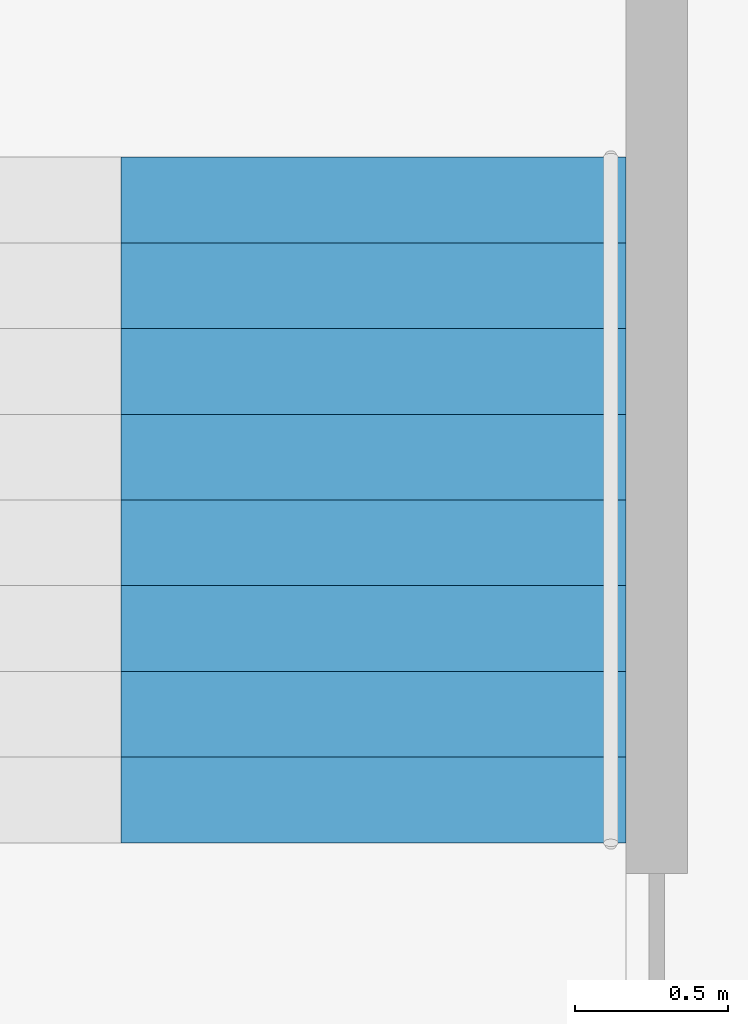
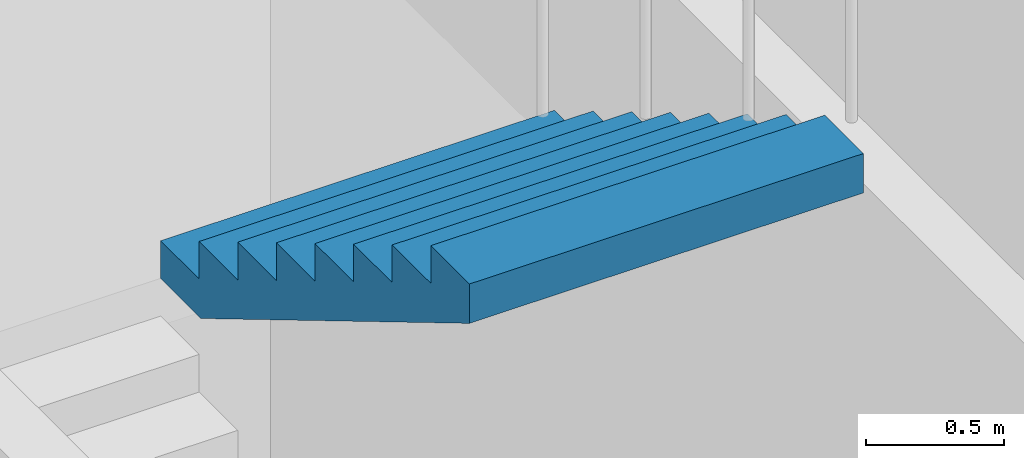
# One storey, part 19 of 20: 1 stair flight, 1 element without a shape of its own.
"""IFC4 building model written with IfcOpenShell, lengths in metres."""

from ifc_helpers import new_model, si_unit, direction, frame, origin, place, context, subcontext, project, spatial, polyline, outline, extrude, material, type_object, element, aggregate, save


model = new_model("IFC4")

# Units and contexts
model_context = context("Model", 3, precision=1e-05, world=origin(), true_north=direction((0.0, 1.0)))
body_context = subcontext(model_context, "Body", "Model", "MODEL_VIEW")
ifc_project = project(units=[si_unit("LENGTHUNIT", "METRE"), si_unit("AREAUNIT", "SQUARE_METRE"), si_unit("VOLUMEUNIT", "CUBIC_METRE"), si_unit("PLANEANGLEUNIT", "RADIAN"), si_unit("MASSUNIT", "GRAM", prefix="KILO")], contexts=[model_context])

# Site, building, storey
site_placement = place(None, origin())
site = spatial("IfcSite", under=ifc_project, at=site_placement, CompositionType="ELEMENT")
building_placement = place(site_placement, origin())
building = spatial("IfcBuilding", under=site, at=building_placement, Name="Taillehof Tower", CompositionType="ELEMENT")
storey_placement = place(building_placement, frame((0.0, 0.0, 269.199951171875)))
storey = spatial("IfcBuildingStorey", under=building, at=storey_placement, Name="L76", CompositionType="ELEMENT", Elevation=269.199951171875)

# Stair, stair flight
ifc_material_1 = material(Name="Concrete C40/50", Category="concrete")
stair_type = type_object("IfcStairType", Name="Exit stair half-turn", PredefinedType="HALF_TURN_STAIR", material=ifc_material_1)
stair_placement = place(storey_placement, origin())
stair = element("IfcStair", 1, at=stair_placement, inside=storey, type_object=stair_type, Name="Exit stair S3", PredefinedType="HALF_TURN_STAIR")
ifc_material_2 = material(Name="Concrete C40/50", Category="concrete")
stair_flight_type = type_object("IfcStairFlightType", Name="Stair flight 1650 riser 166.7 going 280", PredefinedType="STRAIGHT", material=ifc_material_2)
stair_flight_placement = place(storey_placement, frame((-11.77490234375, 11.68994140625, 4.5), z_axis=(0.0, 0.0, 1.0), x_axis=(0.0, -1.0, 0.0)))
stair_flight = element("IfcStairFlight", 2, at=stair_flight_placement, type_object=stair_flight_type, Name="S3 flight 4", NumberOfRisers=9, NumberOfTreads=8, PredefinedType="STRAIGHT", RiserHeight=0.166666667, TreadLength=0.28, context=body_context, shape_type="SweptSolid", body=[
    extrude(outline(polyline([(0.0, 0.0), (0.0, 0.005859375), (0.0, 0.011962890625), (0.0, 0.017822265625), (0.0, 0.02392578125), (0.0, 0.02978515625), (0.0, 0.03564453125), (0.0, 0.041748046875), (0.0, 0.047607421875), (0.0, 0.053466796875), (0.0, 0.0595703125), (0.0, 0.0654296875), (0.0, 0.071533203125), (0.0, 0.077392578125), (0.0, 0.083251953125), (0.0, 0.08935546875), (0.0, 0.09521484375), (0.0, 0.10107421875), (0.0, 0.107177734375), (0.0, 0.113037109375), (0.0, 0.119140625), (0.0, 0.125), (0.0, 0.130859375), (0.0, 0.136962890625), (0.0, 0.142822265625), (0.0, 0.14892578125), (0.0, 0.15478515625), (0.0, 0.16064453125), (0.0, 0.166748046875), (0.280029296875, 0.166748046875), (0.280029296875, 0.333251953125), (0.56005859375, 0.333251953125), (0.56005859375, 0.5), (0.840087890625, 0.5), (0.840087890625, 0.666748046875), (1.1201171875, 0.666748046875), (1.1201171875, 0.833251953125), (1.39990234375, 0.833251953125), (1.39990234375, 1.0), (1.679931640625, 1.0), (1.679931640625, 1.166748046875), (1.9599609375, 1.166748046875), (1.9599609375, 1.333251953125), (2.239990234375, 1.333251953125), (2.239990234375, 1.3271484375), (2.239990234375, 1.32080078125), (2.239990234375, 1.314697265625), (2.239990234375, 1.308349609375), (2.239990234375, 1.30224609375), (2.239990234375, 1.2958984375), (2.239990234375, 1.289794921875), (2.239990234375, 1.283447265625), (2.239990234375, 1.27734375), (2.239990234375, 1.27099609375), (2.239990234375, 1.264892578125), (2.239990234375, 1.258544921875), (2.239990234375, 1.25244140625), (2.239990234375, 1.24609375), (2.239990234375, 1.239990234375), (2.239990234375, 1.233642578125), (2.239990234375, 1.2275390625), (2.239990234375, 1.22119140625), (2.239990234375, 1.21484375), (2.239990234375, 1.208740234375), (2.239990234375, 1.202392578125), (2.239990234375, 1.1962890625), (2.239990234375, 1.18994140625), (2.239990234375, 1.183837890625), (2.239990234375, 1.177490234375), (2.239990234375, 1.17138671875), (2.239990234375, 1.1650390625), (2.239990234375, 1.158935546875), (0.29296875, 0.0), (0.0, 0.0)])), frame((0.0, 0.824951171875, 0.0), z_axis=(0.0, -1.0, 0.0), x_axis=(1.0, 0.0, 0.0)), (0.0, 0.0, 1.0), 1.65),
])
aggregate(stair, [stair_flight])

save(model, "model.ifc")
